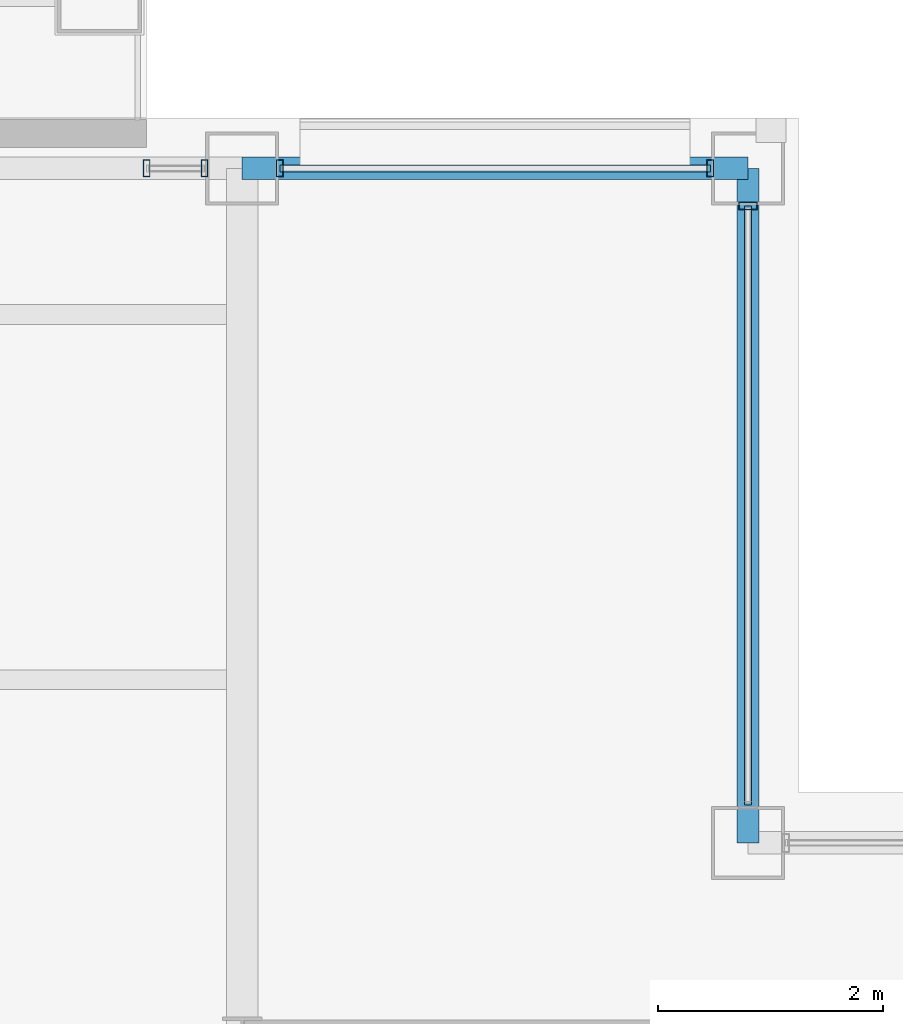
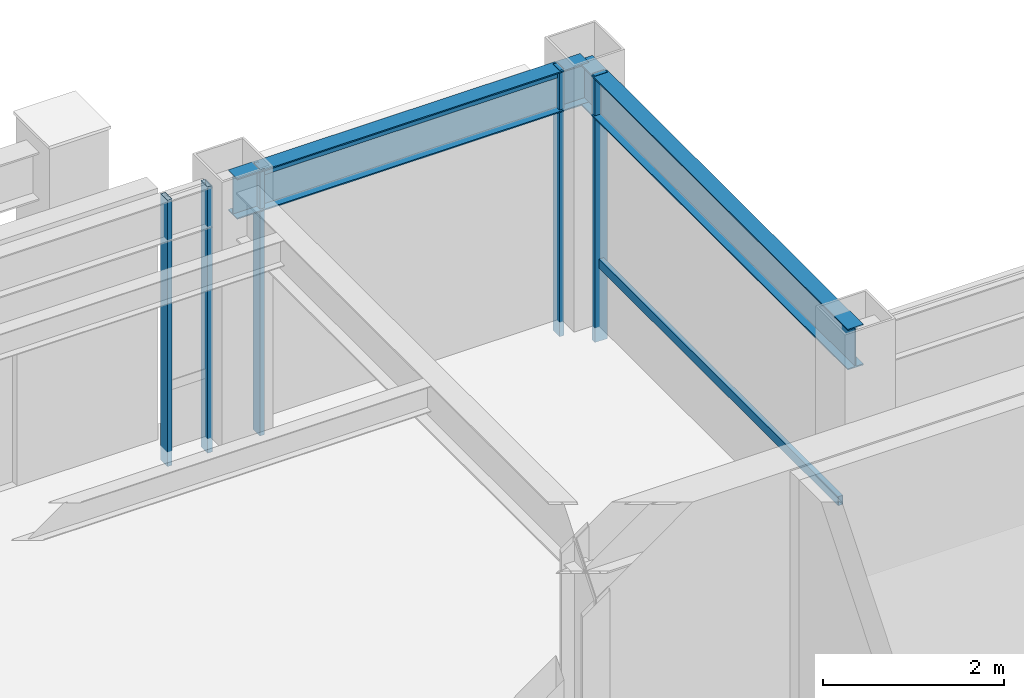
# One storey, part 16 of 23: 7 members, 2 beams, 3 elements without a shape of their own.
"""IFC4 building model written with IfcOpenShell, lengths in metres."""

from ifc_helpers import new_model, si_unit, direction, frame, origin, origin_2d, place, context, subcontext, project, spatial, hollow_rectangle, i_section, extrude, material, layer, layer_set, material_profile, profile_set, type_object, element, aggregate, save


model = new_model("IFC4")

# Units and contexts
model_context = context("Model", 3, precision=1e-05, world=origin(), true_north=direction((0.0, 1.0)))
body_context = subcontext(model_context, "Body", "Model", "MODEL_VIEW")
ifc_project = project(units=[si_unit("LENGTHUNIT", "METRE"), si_unit("AREAUNIT", "SQUARE_METRE"), si_unit("VOLUMEUNIT", "CUBIC_METRE"), si_unit("PLANEANGLEUNIT", "RADIAN"), si_unit("MASSUNIT", "GRAM", prefix="KILO")], contexts=[model_context])

# Site, building, storey
site_placement = place(None, origin())
site = spatial("IfcSite", under=ifc_project, at=site_placement, CompositionType="ELEMENT")
building_placement = place(site_placement, origin())
building = spatial("IfcBuilding", under=site, at=building_placement, Name="Brelmoor Portico Tower", CompositionType="ELEMENT")
storey_placement = place(building_placement, frame((0.0, 0.0, 222.0)))
storey = spatial("IfcBuildingStorey", under=building, at=storey_placement, Name="L58", CompositionType="ELEMENT", Elevation=222.0)

# Beams
ifc_material_1 = material(Name="Steel Q355B", Category="steel")
ifc_material_profile_1 = material_profile(ifc_material_1, i_section(OverallWidth=0.199951171875, OverallDepth=0.550048828125, WebThickness=0.010009765625, FlangeThickness=0.01611328125, at=origin_2d()), Name="HN 550x200x10x16")
ifc_profile_set_1 = profile_set([ifc_material_profile_1], Name="Steel Q355B")
beam_type = type_object("IfcBeamType", Name="BM-SP-550", PredefinedType="SPANDREL", material=ifc_profile_set_1)
beam_1_placement = place(storey_placement, frame((8.050048828125, 17.550048828125, 3.125), z_axis=(1.0, 0.0, 0.0), x_axis=(0.0, 1.0, 0.0)))
element("IfcBeam", 1, at=beam_1_placement, inside=storey, type_object=beam_type, Name="L58 Perimeter Spandrel Beam SP-10", PredefinedType="SPANDREL", context=body_context, shape_type="SweptSolid", body=[
    extrude(i_section(OverallWidth=0.199951171875, OverallDepth=0.550048828125, WebThickness=0.010009765625, FlangeThickness=0.01611328125, at=origin_2d()), origin(), (0.0, 0.0, 1.0), 4.5),
])
beam_2_placement = place(storey_placement, frame((12.550048828125, 11.550048828125, 3.125), z_axis=(0.0, 1.0, 0.0), x_axis=(-1.0, 0.0, 0.0)))
element("IfcBeam", 2, at=beam_2_placement, inside=storey, type_object=beam_type, Name="L58 Perimeter Spandrel Beam SP-17", PredefinedType="SPANDREL", context=body_context, shape_type="SweptSolid", body=[
    extrude(i_section(OverallWidth=0.199951171875, OverallDepth=0.550048828125, WebThickness=0.010009765625, FlangeThickness=0.01611328125, at=origin_2d()), origin(), (0.0, 0.0, 1.0), 6.0),
])

# Curtain wall, members
ifc_material_2 = material(Name="Anodised Aluminium Alloy 6063-T6", Category="aluminium")
ifc_layer_1 = layer(ifc_material_2, 0.179931640625)
ifc_layer_set_1 = layer_set([ifc_layer_1], Name="Anodised Aluminium Alloy 6063-T6")
curtain_wall_type_1 = type_object("IfcCurtainWallType", Name="CW-TOWER-Z4", PredefinedType="NOTDEFINED", material=ifc_layer_set_1)
curtain_wall_1_placement = place(storey_placement, origin())
curtain_wall_1 = element("IfcCurtainWall", 3, at=curtain_wall_1_placement, inside=storey, type_object=curtain_wall_type_1, Name="L58 Curtain Wall CW-L58-2R-1", PredefinedType="NOTDEFINED")
ifc_material_profile_2 = material_profile(ifc_material_2, hollow_rectangle(XDim=0.06005859375, YDim=0.14990234375, WallThickness=0.00390625, at=origin_2d()), Name="ALU MULLION 60x150")
ifc_profile_set_2 = profile_set([ifc_material_profile_2], Name="Anodised Aluminium Alloy 6063-T6")
member_type_1 = type_object("IfcMemberType", Name="MB-CW-MULL-150", PredefinedType="MULLION", material=ifc_profile_set_2)
member_1_placement = place(storey_placement, frame((7.199951171875, 17.550048828125, -0.199951171875), z_axis=(0.0, 0.0, 1.0), x_axis=(1.0, 0.0, 0.0)))
member_1 = element("IfcMember", 4, at=member_1_placement, type_object=member_type_1, Name="CW-L58-2R-1 Mullion 00", PredefinedType="MULLION", context=body_context, shape_type="SweptSolid", body=[
    extrude(hollow_rectangle(XDim=0.06005859375, YDim=0.14990234375, WallThickness=0.00390625, at=origin_2d()), origin(), (0.0, 0.0, 1.0), 3.599853515625),
])
member_2_placement = place(storey_placement, frame((7.715087890625, 17.550048828125, -0.199951171875), z_axis=(0.0, 0.0, 1.0), x_axis=(1.0, 0.0, 0.0)))
member_2 = element("IfcMember", 5, at=member_2_placement, type_object=member_type_1, Name="CW-L58-2R-1 Mullion 01", PredefinedType="MULLION", context=body_context, shape_type="SweptSolid", body=[
    extrude(hollow_rectangle(XDim=0.06005859375, YDim=0.14990234375, WallThickness=0.00390625, at=origin_2d()), origin(), (0.0, 0.0, 1.0), 3.599853515625),
])
aggregate(curtain_wall_1, [member_1, member_2])

ifc_layer_2 = layer(ifc_material_2, 0.179931640625)
ifc_layer_set_2 = layer_set([ifc_layer_2], Name="Anodised Aluminium Alloy 6063-T6")
curtain_wall_type_2 = type_object("IfcCurtainWallType", Name="CW-TOWER-Z4-XB", PredefinedType="NOTDEFINED", material=ifc_layer_set_2)
curtain_wall_2_placement = place(storey_placement, origin())
curtain_wall_2 = element("IfcCurtainWall", 6, at=curtain_wall_2_placement, inside=storey, type_object=curtain_wall_type_2, Name="L58 Curtain Wall CW-L58-2R-2", PredefinedType="NOTDEFINED")
member_3_placement = place(storey_placement, frame((8.385009765625, 17.550048828125, -0.199951171875), z_axis=(0.0, 0.0, 1.0), x_axis=(1.0, 0.0, 0.0)))
member_3 = element("IfcMember", 7, at=member_3_placement, type_object=member_type_1, Name="CW-L58-2R-2 Mullion 00", PredefinedType="MULLION", context=body_context, shape_type="SweptSolid", body=[
    extrude(hollow_rectangle(XDim=0.06005859375, YDim=0.14990234375, WallThickness=0.00390625, at=origin_2d()), origin(), (0.0, 0.0, 1.0), 3.599853515625),
])
member_4_placement = place(storey_placement, frame((12.215087890625, 17.550048828125, -0.199951171875), z_axis=(0.0, 0.0, 1.0), x_axis=(1.0, 0.0, 0.0)))
member_4 = element("IfcMember", 8, at=member_4_placement, type_object=member_type_1, Name="CW-L58-2R-2 Mullion 01", PredefinedType="MULLION", context=body_context, shape_type="SweptSolid", body=[
    extrude(hollow_rectangle(XDim=0.06005859375, YDim=0.14990234375, WallThickness=0.00390625, at=origin_2d()), origin(), (0.0, 0.0, 1.0), 3.599853515625),
])

# Curtain wall, member
ifc_layer_3 = layer(ifc_material_2, 0.179931640625)
ifc_layer_set_3 = layer_set([ifc_layer_3], Name="Anodised Aluminium Alloy 6063-T6")
curtain_wall_type_3 = type_object("IfcCurtainWallType", Name="CW-NOTCH-CHAMFER", PredefinedType="NOTDEFINED", material=ifc_layer_set_3)
curtain_wall_3_placement = place(storey_placement, origin())
curtain_wall_3 = element("IfcCurtainWall", 9, at=curtain_wall_3_placement, inside=storey, type_object=curtain_wall_type_3, Name="L58 Curtain Wall CWN-L58-NEV", PredefinedType="NOTDEFINED")
ifc_material_profile_3 = material_profile(ifc_material_2, hollow_rectangle(XDim=0.06494140625, YDim=0.1650390625, WallThickness=0.00390625, at=origin_2d()), Name="ALU MULLION 65x165")
ifc_profile_set_3 = profile_set([ifc_material_profile_3], Name="Anodised Aluminium Alloy 6063-T6")
member_type_2 = type_object("IfcMemberType", Name="MB-CW-MULL-165", PredefinedType="MULLION", material=ifc_profile_set_3)
member_5_placement = place(storey_placement, frame((12.550048828125, 17.215087890625, -0.199951171875), z_axis=(0.0, 0.0, 1.0), x_axis=(0.0, 1.0, 0.0)))
member_5 = element("IfcMember", 10, at=member_5_placement, type_object=member_type_2, Name="CWN-L58-NEV Mullion 01", PredefinedType="MULLION", context=body_context, shape_type="SweptSolid", body=[
    extrude(hollow_rectangle(XDim=0.06494140625, YDim=0.1650390625, WallThickness=0.00390625, at=origin_2d()), origin(), (0.0, 0.0, 1.0), 3.599853515625),
])

# Member
ifc_material_profile_4 = material_profile(ifc_material_2, hollow_rectangle(XDim=0.06005859375, YDim=0.125, WallThickness=0.00341796875, at=origin_2d()), Name="ALU TRANSOM 60x125")
ifc_profile_set_4 = profile_set([ifc_material_profile_4], Name="Anodised Aluminium Alloy 6063-T6")
member_type_3 = type_object("IfcMemberType", Name="MB-CW-TRAN-125", PredefinedType="USERDEFINED", material=ifc_profile_set_4)
member_6_placement = place(storey_placement, frame((8.385009765625, 17.550048828125, 3.33740234375), z_axis=(1.0, 0.0, 0.0), x_axis=(0.0, 1.0, 0.0)))
member_6 = element("IfcMember", 11, at=member_6_placement, type_object=member_type_3, Name="CW-L58-2R-2 Transom 1-00", ObjectType="TRANSOM", PredefinedType="USERDEFINED", context=body_context, shape_type="SweptSolid", body=[
    extrude(hollow_rectangle(XDim=0.06005859375, YDim=0.125, WallThickness=0.00341796875, at=origin_2d()), origin(), (0.0, 0.0, 1.0), 3.830078125),
])

aggregate(curtain_wall_2, [member_3, member_4, member_6])

member_7_placement = place(storey_placement, frame((12.550048828125, 11.885009765625, 0.85009765625), z_axis=(0.0, 1.0, 0.0), x_axis=(-1.0, 0.0, 0.0)))
member_7 = element("IfcMember", 12, at=member_7_placement, type_object=member_type_3, Name="CWN-L58-NEV Transom 1-00", ObjectType="TRANSOM", PredefinedType="USERDEFINED", context=body_context, shape_type="SweptSolid", body=[
    extrude(hollow_rectangle(XDim=0.06005859375, YDim=0.125, WallThickness=0.00341796875, at=origin_2d()), origin(), (0.0, 0.0, 1.0), 5.330078125),
])

aggregate(curtain_wall_3, [member_5, member_7])

save(model, "model.ifc")
